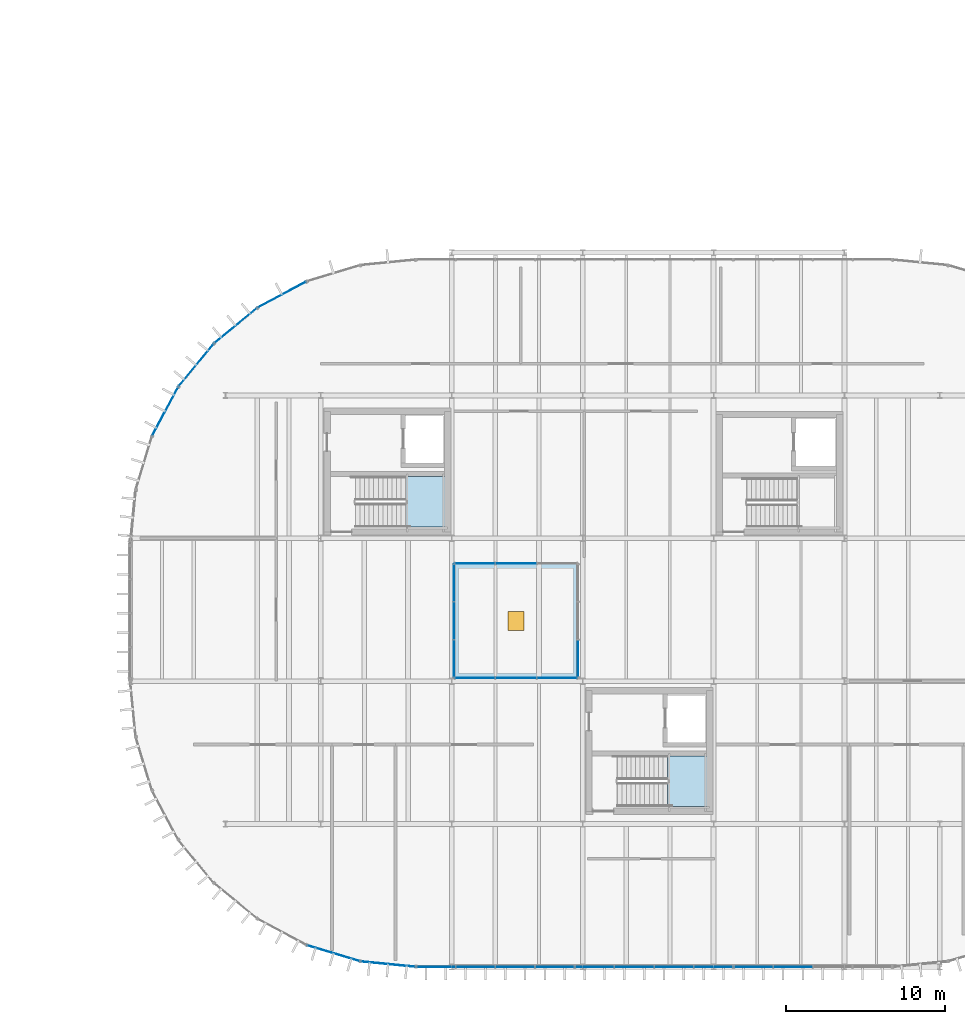
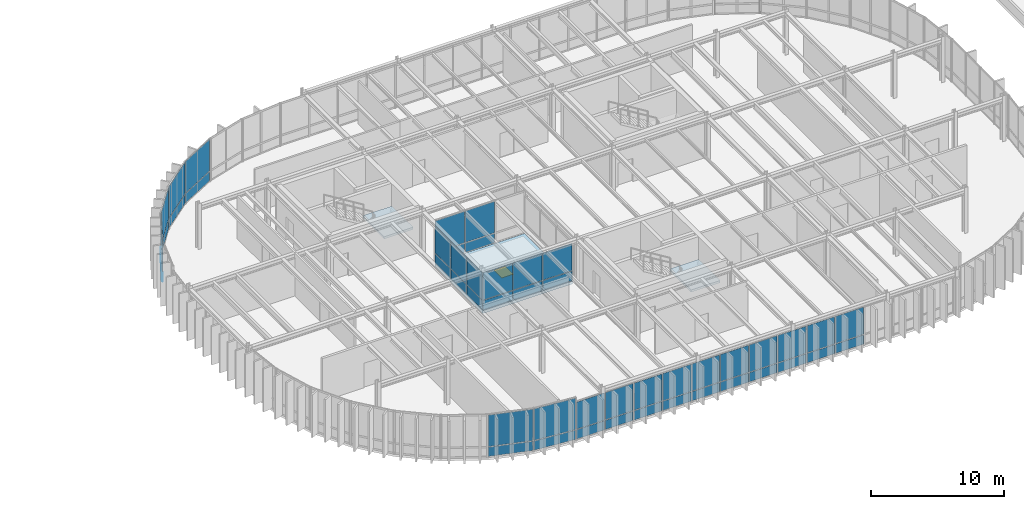
# One storey, part 17 of 31: 49 plates, 3 slabs, 1 door, 1 opening, 16 elements without a shape of their own.
"""IFC4 building model written with IfcOpenShell, lengths in metres."""

from ifc_helpers import new_model, si_unit, direction, frame, origin, origin_2d, place, context, subcontext, project, spatial, polyline, rectangle, outline, extrude, material, layer, layer_set, type_object, element, fill, aggregate, save


model = new_model("IFC4")

# Units and contexts
model_context = context("Model", 3, precision=1e-05, world=origin(), true_north=direction((0.0, 1.0)))
body_context = subcontext(model_context, "Body", "Model", "MODEL_VIEW")
ifc_project = project(units=[si_unit("LENGTHUNIT", "METRE"), si_unit("AREAUNIT", "SQUARE_METRE"), si_unit("VOLUMEUNIT", "CUBIC_METRE"), si_unit("PLANEANGLEUNIT", "RADIAN"), si_unit("MASSUNIT", "GRAM", prefix="KILO")], contexts=[model_context])

# Site, building, storey
site_placement = place(None, origin())
site = spatial("IfcSite", under=ifc_project, at=site_placement, CompositionType="ELEMENT")
building_placement = place(site_placement, origin())
building = spatial("IfcBuilding", under=site, at=building_placement, Name="Montealbar Specialist Clinic", CompositionType="ELEMENT")
storey_placement = place(building_placement, frame((0.0, 0.0, 13.800048828125)))
storey = spatial("IfcBuildingStorey", under=building, at=storey_placement, Name="L03", CompositionType="ELEMENT", Elevation=13.800048828125)

# Curtain wall, plate
ifc_material_1 = material(Name="Low-E double glazing", Category="glass")
ifc_layer_1 = layer(ifc_material_1, 0.199951171875, Name="Low-E double glazing", Category="glass")
ifc_layer_set_1 = layer_set([ifc_layer_1], Name="Low-E double glazing")
curtain_wall_type_1 = type_object("IfcCurtainWallType", Name="CW-TYPE-24", PredefinedType="NOTDEFINED", material=ifc_layer_set_1)
curtain_wall_1_placement = place(storey_placement, origin())
curtain_wall_1 = element("IfcCurtainWall", 1, at=curtain_wall_1_placement, inside=storey, type_object=curtain_wall_type_1, Name="Unitised Curtain Wall CW-L03-822-182-822-254-138", PredefinedType="NOTDEFINED")
ifc_layer_2 = layer(ifc_material_1, 0.028076171875, Name="Low-E double glazing", Category="glass")
ifc_layer_set_2 = layer_set([ifc_layer_2], Name="Low-E double glazing")
plate_type_1 = type_object("IfcPlateType", Name="CW-PNL-IGU28", PredefinedType="CURTAIN_PANEL", material=ifc_layer_set_2)
plate_1_placement = place(storey_placement, frame((82.199951171875, 19.39990234375, 0.06982421875), z_axis=(0.0, 0.0, 1.0), x_axis=(0.0, 1.0, 0.0)))
plate_1 = element("IfcPlate", 2, at=plate_1_placement, type_object=plate_type_1, Name="Glazed Curtain Panel CW-L03-822-182-822-254-138-1-1", PredefinedType="CURTAIN_PANEL", context=body_context, shape_type="SweptSolid", body=[
    extrude(rectangle(XDim=2.327880859375, YDim=0.028076171875, at=origin_2d()), origin(), (0.0, 0.0, 1.0), 0.85009765625),
])
aggregate(curtain_wall_1, [plate_1])

# Curtain wall, plates
ifc_layer_3 = layer(ifc_material_1, 0.199951171875, Name="Low-E double glazing", Category="glass")
ifc_layer_set_3 = layer_set([ifc_layer_3], Name="Low-E double glazing")
curtain_wall_type_2 = type_object("IfcCurtainWallType", Name="CW-TYPE-25", PredefinedType="NOTDEFINED", material=ifc_layer_set_3)
curtain_wall_2_placement = place(storey_placement, origin())
curtain_wall_2 = element("IfcCurtainWall", 3, at=curtain_wall_2_placement, inside=storey, type_object=curtain_wall_type_2, Name="Unitised Curtain Wall CW-L03-822-254-744-254-138", PredefinedType="NOTDEFINED")
plate_2_placement = place(storey_placement, frame((78.300048828125, 25.39990234375, 0.06982421875), z_axis=(0.0, 0.0, 1.0), x_axis=(-1.0, 0.0, 0.0)))
plate_2 = element("IfcPlate", 4, at=plate_2_placement, type_object=plate_type_1, Name="Glazed Curtain Panel CW-L03-822-254-744-254-138-2-1", PredefinedType="CURTAIN_PANEL", context=body_context, shape_type="SweptSolid", body=[
    extrude(rectangle(XDim=2.528076171875, YDim=0.028076171875, at=origin_2d()), origin(), (0.0, 0.0, 1.0), 0.85009765625),
])
plate_3_placement = place(storey_placement, frame((78.300048828125, 25.39990234375, 0.97998046875), z_axis=(0.0, 0.0, 1.0), x_axis=(-1.0, 0.0, 0.0)))
plate_3 = element("IfcPlate", 5, at=plate_3_placement, type_object=plate_type_1, Name="Glazed Curtain Panel CW-L03-822-254-744-254-138-2-2", PredefinedType="CURTAIN_PANEL", context=body_context, shape_type="SweptSolid", body=[
    extrude(rectangle(XDim=2.528076171875, YDim=0.028076171875, at=origin_2d()), origin(), (0.0, 0.0, 1.0), 2.889892578125),
])
plate_4_placement = place(storey_placement, frame((75.699951171875, 25.39990234375, 0.06982421875), z_axis=(0.0, 0.0, 1.0), x_axis=(-1.0, 0.0, 0.0)))
plate_4 = element("IfcPlate", 6, at=plate_4_placement, type_object=plate_type_1, Name="Glazed Curtain Panel CW-L03-822-254-744-254-138-3-1", PredefinedType="CURTAIN_PANEL", context=body_context, shape_type="SweptSolid", body=[
    extrude(rectangle(XDim=2.528076171875, YDim=0.028076171875, at=origin_2d()), origin(), (0.0, 0.0, 1.0), 0.85009765625),
])
plate_5_placement = place(storey_placement, frame((75.699951171875, 25.39990234375, 0.97998046875), z_axis=(0.0, 0.0, 1.0), x_axis=(-1.0, 0.0, 0.0)))
plate_5 = element("IfcPlate", 7, at=plate_5_placement, type_object=plate_type_1, Name="Glazed Curtain Panel CW-L03-822-254-744-254-138-3-2", PredefinedType="CURTAIN_PANEL", context=body_context, shape_type="SweptSolid", body=[
    extrude(rectangle(XDim=2.528076171875, YDim=0.028076171875, at=origin_2d()), origin(), (0.0, 0.0, 1.0), 2.889892578125),
])
aggregate(curtain_wall_2, [plate_2, plate_3, plate_4, plate_5])

curtain_wall_3_placement = place(storey_placement, origin())
curtain_wall_3 = element("IfcCurtainWall", 8, at=curtain_wall_3_placement, inside=storey, type_object=curtain_wall_type_1, Name="Unitised Curtain Wall CW-L03-744-254-744-182-138", PredefinedType="NOTDEFINED")
plate_6_placement = place(storey_placement, frame((74.39990234375, 24.199951171875, 0.06982421875), z_axis=(0.0, 0.0, 1.0), x_axis=(0.0, -1.0, 0.0)))
plate_6 = element("IfcPlate", 9, at=plate_6_placement, type_object=plate_type_1, Name="Glazed Curtain Panel CW-L03-744-254-744-182-138-1-1", PredefinedType="CURTAIN_PANEL", context=body_context, shape_type="SweptSolid", body=[
    extrude(rectangle(XDim=2.327880859375, YDim=0.028076171875, at=origin_2d()), origin(), (0.0, 0.0, 1.0), 0.85009765625),
])
plate_7_placement = place(storey_placement, frame((74.39990234375, 24.199951171875, 0.97998046875), z_axis=(0.0, 0.0, 1.0), x_axis=(0.0, -1.0, 0.0)))
plate_7 = element("IfcPlate", 10, at=plate_7_placement, type_object=plate_type_1, Name="Glazed Curtain Panel CW-L03-744-254-744-182-138-1-2", PredefinedType="CURTAIN_PANEL", context=body_context, shape_type="SweptSolid", body=[
    extrude(rectangle(XDim=2.327880859375, YDim=0.028076171875, at=origin_2d()), origin(), (0.0, 0.0, 1.0), 2.489990234375),
])
plate_8_placement = place(storey_placement, frame((74.39990234375, 21.800048828125, 0.06982421875), z_axis=(0.0, 0.0, 1.0), x_axis=(0.0, -1.0, 0.0)))
plate_8 = element("IfcPlate", 11, at=plate_8_placement, type_object=plate_type_1, Name="Glazed Curtain Panel CW-L03-744-254-744-182-138-2-1", PredefinedType="CURTAIN_PANEL", context=body_context, shape_type="SweptSolid", body=[
    extrude(rectangle(XDim=2.327880859375, YDim=0.028076171875, at=origin_2d()), origin(), (0.0, 0.0, 1.0), 0.85009765625),
])
plate_9_placement = place(storey_placement, frame((74.39990234375, 21.800048828125, 0.97998046875), z_axis=(0.0, 0.0, 1.0), x_axis=(0.0, -1.0, 0.0)))
plate_9 = element("IfcPlate", 12, at=plate_9_placement, type_object=plate_type_1, Name="Glazed Curtain Panel CW-L03-744-254-744-182-138-2-2", PredefinedType="CURTAIN_PANEL", context=body_context, shape_type="SweptSolid", body=[
    extrude(rectangle(XDim=2.327880859375, YDim=0.028076171875, at=origin_2d()), origin(), (0.0, 0.0, 1.0), 2.489990234375),
])
plate_10_placement = place(storey_placement, frame((74.39990234375, 19.39990234375, 0.06982421875), z_axis=(0.0, 0.0, 1.0), x_axis=(0.0, -1.0, 0.0)))
plate_10 = element("IfcPlate", 13, at=plate_10_placement, type_object=plate_type_1, Name="Glazed Curtain Panel CW-L03-744-254-744-182-138-3-1", PredefinedType="CURTAIN_PANEL", context=body_context, shape_type="SweptSolid", body=[
    extrude(rectangle(XDim=2.327880859375, YDim=0.028076171875, at=origin_2d()), origin(), (0.0, 0.0, 1.0), 0.85009765625),
])
plate_11_placement = place(storey_placement, frame((74.39990234375, 19.39990234375, 0.97998046875), z_axis=(0.0, 0.0, 1.0), x_axis=(0.0, -1.0, 0.0)))
plate_11 = element("IfcPlate", 14, at=plate_11_placement, type_object=plate_type_1, Name="Glazed Curtain Panel CW-L03-744-254-744-182-138-3-2", PredefinedType="CURTAIN_PANEL", context=body_context, shape_type="SweptSolid", body=[
    extrude(rectangle(XDim=2.327880859375, YDim=0.028076171875, at=origin_2d()), origin(), (0.0, 0.0, 1.0), 2.489990234375),
])
aggregate(curtain_wall_3, [plate_6, plate_7, plate_8, plate_9, plate_10, plate_11])

ifc_layer_4 = layer(ifc_material_1, 0.199951171875, Name="Low-E double glazing", Category="glass")
ifc_layer_set_4 = layer_set([ifc_layer_4], Name="Low-E double glazing")
curtain_wall_type_3 = type_object("IfcCurtainWallType", Name="CW-TYPE-26", PredefinedType="NOTDEFINED", material=ifc_layer_set_4)
curtain_wall_4_placement = place(storey_placement, origin())
curtain_wall_4 = element("IfcCurtainWall", 15, at=curtain_wall_4_placement, inside=storey, type_object=curtain_wall_type_3, Name="Unitised Curtain Wall CW-L03-744-182-822-182-138", PredefinedType="NOTDEFINED")
plate_12_placement = place(storey_placement, frame((75.699951171875, 18.199951171875, 0.06982421875), z_axis=(0.0, 0.0, 1.0), x_axis=(1.0, 0.0, 0.0)))
plate_12 = element("IfcPlate", 16, at=plate_12_placement, type_object=plate_type_1, Name="Glazed Curtain Panel CW-L03-744-182-822-182-138-1-1", PredefinedType="CURTAIN_PANEL", context=body_context, shape_type="SweptSolid", body=[
    extrude(rectangle(XDim=2.528076171875, YDim=0.028076171875, at=origin_2d()), origin(), (0.0, 0.0, 1.0), 0.85009765625),
])
plate_13_placement = place(storey_placement, frame((75.699951171875, 18.199951171875, 0.97998046875), z_axis=(0.0, 0.0, 1.0), x_axis=(1.0, 0.0, 0.0)))
plate_13 = element("IfcPlate", 17, at=plate_13_placement, type_object=plate_type_1, Name="Glazed Curtain Panel CW-L03-744-182-822-182-138-1-2", PredefinedType="CURTAIN_PANEL", context=body_context, shape_type="SweptSolid", body=[
    extrude(rectangle(XDim=2.528076171875, YDim=0.028076171875, at=origin_2d()), origin(), (0.0, 0.0, 1.0), 2.489990234375),
])
plate_14_placement = place(storey_placement, frame((78.300048828125, 18.199951171875, 0.06982421875), z_axis=(0.0, 0.0, 1.0), x_axis=(1.0, 0.0, 0.0)))
plate_14 = element("IfcPlate", 18, at=plate_14_placement, type_object=plate_type_1, Name="Glazed Curtain Panel CW-L03-744-182-822-182-138-2-1", PredefinedType="CURTAIN_PANEL", context=body_context, shape_type="SweptSolid", body=[
    extrude(rectangle(XDim=2.528076171875, YDim=0.028076171875, at=origin_2d()), origin(), (0.0, 0.0, 1.0), 0.85009765625),
])
plate_15_placement = place(storey_placement, frame((78.300048828125, 18.199951171875, 0.97998046875), z_axis=(0.0, 0.0, 1.0), x_axis=(1.0, 0.0, 0.0)))
plate_15 = element("IfcPlate", 19, at=plate_15_placement, type_object=plate_type_1, Name="Glazed Curtain Panel CW-L03-744-182-822-182-138-2-2", PredefinedType="CURTAIN_PANEL", context=body_context, shape_type="SweptSolid", body=[
    extrude(rectangle(XDim=2.528076171875, YDim=0.028076171875, at=origin_2d()), origin(), (0.0, 0.0, 1.0), 2.489990234375),
])
plate_16_placement = place(storey_placement, frame((80.89990234375, 18.199951171875, 0.06982421875), z_axis=(0.0, 0.0, 1.0), x_axis=(1.0, 0.0, 0.0)))
plate_16 = element("IfcPlate", 20, at=plate_16_placement, type_object=plate_type_1, Name="Glazed Curtain Panel CW-L03-744-182-822-182-138-3-1", PredefinedType="CURTAIN_PANEL", context=body_context, shape_type="SweptSolid", body=[
    extrude(rectangle(XDim=2.528076171875, YDim=0.028076171875, at=origin_2d()), origin(), (0.0, 0.0, 1.0), 0.85009765625),
])
plate_17_placement = place(storey_placement, frame((80.89990234375, 18.199951171875, 0.97998046875), z_axis=(0.0, 0.0, 1.0), x_axis=(1.0, 0.0, 0.0)))
plate_17 = element("IfcPlate", 21, at=plate_17_placement, type_object=plate_type_1, Name="Glazed Curtain Panel CW-L03-744-182-822-182-138-3-2", PredefinedType="CURTAIN_PANEL", context=body_context, shape_type="SweptSolid", body=[
    extrude(rectangle(XDim=2.528076171875, YDim=0.028076171875, at=origin_2d()), origin(), (0.0, 0.0, 1.0), 2.489990234375),
])
aggregate(curtain_wall_4, [plate_12, plate_13, plate_14, plate_15, plate_16, plate_17])

ifc_layer_5 = layer(ifc_material_1, 0.199951171875, Name="Low-E double glazing", Category="glass")
ifc_layer_set_5 = layer_set([ifc_layer_5], Name="Low-E double glazing")
curtain_wall_type_4 = type_object("IfcCurtainWallType", Name="CW-TYPE-19", PredefinedType="NOTDEFINED", material=ifc_layer_set_5)
curtain_wall_5_placement = place(storey_placement, origin())
curtain_wall_5 = element("IfcCurtainWall", 22, at=curtain_wall_5_placement, inside=storey, type_object=curtain_wall_type_4, Name="Unitised Curtain Wall CW-L03-554-334-570-366-138", PredefinedType="NOTDEFINED")
ifc_layer_6 = layer(ifc_material_1, 0.0380859375, Name="Low-E double glazing", Category="glass")
ifc_layer_set_6 = layer_set([ifc_layer_6], Name="Low-E double glazing")
plate_type_2 = type_object("IfcPlateType", Name="CW-PNL-IGU38", PredefinedType="CURTAIN_PANEL", material=ifc_layer_set_6)
plate_18_placement = place(storey_placement, frame((56.201904296875, 34.993896484375, 0.06982421875), z_axis=(0.0, 0.0, 1.0), x_axis=(0.471529268958, 0.881850411644, 0.0)))
plate_18 = element("IfcPlate", 23, at=plate_18_placement, type_object=plate_type_2, Name="Glazed Curtain Panel CW-L03-554-334-570-366-138-1-1", PredefinedType="CURTAIN_PANEL", context=body_context, shape_type="SweptSolid", body=[
    extrude(rectangle(XDim=3.445068359375, YDim=0.0380859375, at=origin_2d()), origin(), (0.0, 0.0, 1.0), 0.85009765625),
])
plate_19_placement = place(storey_placement, frame((56.201904296875, 34.993896484375, 0.97998046875), z_axis=(0.0, 0.0, 1.0), x_axis=(0.471529268958, 0.881850411644, 0.0)))
plate_19 = element("IfcPlate", 24, at=plate_19_placement, type_object=plate_type_2, Name="Glazed Curtain Panel CW-L03-554-334-570-366-138-1-2", PredefinedType="CURTAIN_PANEL", context=body_context, shape_type="SweptSolid", body=[
    extrude(rectangle(XDim=3.445068359375, YDim=0.0380859375, at=origin_2d()), origin(), (0.0, 0.0, 1.0), 2.889892578125),
])
aggregate(curtain_wall_5, [plate_18, plate_19])

curtain_wall_6_placement = place(storey_placement, origin())
curtain_wall_6 = element("IfcCurtainWall", 25, at=curtain_wall_6_placement, inside=storey, type_object=curtain_wall_type_4, Name="Unitised Curtain Wall CW-L03-570-366-593-393-138", PredefinedType="NOTDEFINED")
plate_20_placement = place(storey_placement, frame((58.153076171875, 37.9140625, 0.06982421875), z_axis=(0.0, 0.0, 1.0), x_axis=(0.634255808922, 0.773123255923, 0.0)))
plate_20 = element("IfcPlate", 26, at=plate_20_placement, type_object=plate_type_2, Name="Glazed Curtain Panel CW-L03-570-366-593-393-138-1-1", PredefinedType="CURTAIN_PANEL", context=body_context, shape_type="SweptSolid", body=[
    extrude(rectangle(XDim=3.445068359375, YDim=0.0380859375, at=origin_2d()), origin(), (0.0, 0.0, 1.0), 0.85009765625),
])
plate_21_placement = place(storey_placement, frame((58.153076171875, 37.9140625, 0.97998046875), z_axis=(0.0, 0.0, 1.0), x_axis=(0.634255808922, 0.773123255923, 0.0)))
plate_21 = element("IfcPlate", 27, at=plate_21_placement, type_object=plate_type_2, Name="Glazed Curtain Panel CW-L03-570-366-593-393-138-1-2", PredefinedType="CURTAIN_PANEL", context=body_context, shape_type="SweptSolid", body=[
    extrude(rectangle(XDim=3.445068359375, YDim=0.0380859375, at=origin_2d()), origin(), (0.0, 0.0, 1.0), 2.889892578125),
])
aggregate(curtain_wall_6, [plate_20, plate_21])

curtain_wall_7_placement = place(storey_placement, origin())
curtain_wall_7 = element("IfcCurtainWall", 28, at=curtain_wall_7_placement, inside=storey, type_object=curtain_wall_type_4, Name="Unitised Curtain Wall CW-L03-593-393-620-415-138", PredefinedType="NOTDEFINED")
plate_22_placement = place(storey_placement, frame((60.635986328125, 40.39697265625, 0.06982421875), z_axis=(0.0, 0.0, 1.0), x_axis=(0.773123255923, 0.634255808922, 0.0)))
plate_22 = element("IfcPlate", 29, at=plate_22_placement, type_object=plate_type_2, Name="Glazed Curtain Panel CW-L03-593-393-620-415-138-1-1", PredefinedType="CURTAIN_PANEL", context=body_context, shape_type="SweptSolid", body=[
    extrude(rectangle(XDim=3.445068359375, YDim=0.0380859375, at=origin_2d()), origin(), (0.0, 0.0, 1.0), 0.85009765625),
])
plate_23_placement = place(storey_placement, frame((60.635986328125, 40.39697265625, 0.97998046875), z_axis=(0.0, 0.0, 1.0), x_axis=(0.773123255923, 0.634255808922, 0.0)))
plate_23 = element("IfcPlate", 30, at=plate_23_placement, type_object=plate_type_2, Name="Glazed Curtain Panel CW-L03-593-393-620-415-138-1-2", PredefinedType="CURTAIN_PANEL", context=body_context, shape_type="SweptSolid", body=[
    extrude(rectangle(XDim=3.445068359375, YDim=0.0380859375, at=origin_2d()), origin(), (0.0, 0.0, 1.0), 2.889892578125),
])
aggregate(curtain_wall_7, [plate_22, plate_23])

curtain_wall_8_placement = place(storey_placement, origin())
curtain_wall_8 = element("IfcCurtainWall", 31, at=curtain_wall_8_placement, inside=storey, type_object=curtain_wall_type_4, Name="Unitised Curtain Wall CW-L03-620-415-651-432-138", PredefinedType="NOTDEFINED")
plate_24_placement = place(storey_placement, frame((63.555908203125, 42.347900390625, 0.06982421875), z_axis=(0.0, 0.0, 1.0), x_axis=(0.881850411644, 0.471529268958, 0.0)))
plate_24 = element("IfcPlate", 32, at=plate_24_placement, type_object=plate_type_2, Name="Glazed Curtain Panel CW-L03-620-415-651-432-138-1-1", PredefinedType="CURTAIN_PANEL", context=body_context, shape_type="SweptSolid", body=[
    extrude(rectangle(XDim=3.445068359375, YDim=0.0380859375, at=origin_2d()), origin(), (0.0, 0.0, 1.0), 0.85009765625),
])
plate_25_placement = place(storey_placement, frame((63.555908203125, 42.347900390625, 0.97998046875), z_axis=(0.0, 0.0, 1.0), x_axis=(0.881850411644, 0.471529268958, 0.0)))
plate_25 = element("IfcPlate", 33, at=plate_25_placement, type_object=plate_type_2, Name="Glazed Curtain Panel CW-L03-620-415-651-432-138-1-2", PredefinedType="CURTAIN_PANEL", context=body_context, shape_type="SweptSolid", body=[
    extrude(rectangle(XDim=3.445068359375, YDim=0.0380859375, at=origin_2d()), origin(), (0.0, 0.0, 1.0), 2.889892578125),
])
aggregate(curtain_wall_8, [plate_24, plate_25])

ifc_layer_7 = layer(ifc_material_1, 0.199951171875, Name="Low-E double glazing", Category="glass")
ifc_layer_set_7 = layer_set([ifc_layer_7], Name="Low-E double glazing")
curtain_wall_type_5 = type_object("IfcCurtainWallType", Name="CW-TYPE-22", PredefinedType="NOTDEFINED", material=ifc_layer_set_7)
curtain_wall_9_placement = place(storey_placement, origin())
curtain_wall_9 = element("IfcCurtainWall", 34, at=curtain_wall_9_placement, inside=storey, type_object=curtain_wall_type_5, Name="Unitised Curtain Wall CW-L03-1020-0-920-0-138", PredefinedType="NOTDEFINED")
plate_26_placement = place(storey_placement, frame((95.75, 0.0, 0.06982421875), z_axis=(0.0, 0.0, 1.0), x_axis=(-1.0, 0.0, 0.0)))
plate_26 = element("IfcPlate", 35, at=plate_26_placement, type_object=plate_type_2, Name="Glazed Curtain Panel CW-L03-1020-0-920-0-138-3-1", PredefinedType="CURTAIN_PANEL", context=body_context, shape_type="SweptSolid", body=[
    extrude(rectangle(XDim=2.416015625, YDim=0.0380859375, at=origin_2d()), origin(), (0.0, 0.0, 1.0), 0.85009765625),
])
plate_27_placement = place(storey_placement, frame((95.75, 0.0, 0.97998046875), z_axis=(0.0, 0.0, 1.0), x_axis=(-1.0, 0.0, 0.0)))
plate_27 = element("IfcPlate", 36, at=plate_27_placement, type_object=plate_type_2, Name="Glazed Curtain Panel CW-L03-1020-0-920-0-138-3-2", PredefinedType="CURTAIN_PANEL", context=body_context, shape_type="SweptSolid", body=[
    extrude(rectangle(XDim=2.416015625, YDim=0.0380859375, at=origin_2d()), origin(), (0.0, 0.0, 1.0), 2.489990234375),
])
plate_28_placement = place(storey_placement, frame((93.25, 0.0, 0.06982421875), z_axis=(0.0, 0.0, 1.0), x_axis=(-1.0, 0.0, 0.0)))
plate_28 = element("IfcPlate", 37, at=plate_28_placement, type_object=plate_type_2, Name="Glazed Curtain Panel CW-L03-1020-0-920-0-138-4-1", PredefinedType="CURTAIN_PANEL", context=body_context, shape_type="SweptSolid", body=[
    extrude(rectangle(XDim=2.416015625, YDim=0.0380859375, at=origin_2d()), origin(), (0.0, 0.0, 1.0), 0.85009765625),
])
plate_29_placement = place(storey_placement, frame((93.25, 0.0, 0.97998046875), z_axis=(0.0, 0.0, 1.0), x_axis=(-1.0, 0.0, 0.0)))
plate_29 = element("IfcPlate", 38, at=plate_29_placement, type_object=plate_type_2, Name="Glazed Curtain Panel CW-L03-1020-0-920-0-138-4-2", PredefinedType="CURTAIN_PANEL", context=body_context, shape_type="SweptSolid", body=[
    extrude(rectangle(XDim=2.416015625, YDim=0.0380859375, at=origin_2d()), origin(), (0.0, 0.0, 1.0), 2.489990234375),
])
aggregate(curtain_wall_9, [plate_26, plate_27, plate_28, plate_29])

curtain_wall_10_placement = place(storey_placement, origin())
curtain_wall_10 = element("IfcCurtainWall", 39, at=curtain_wall_10_placement, inside=storey, type_object=curtain_wall_type_5, Name="Unitised Curtain Wall CW-L03-920-0-820-0-138", PredefinedType="NOTDEFINED")
plate_30_placement = place(storey_placement, frame((90.75, 0.0, 0.06982421875), z_axis=(0.0, 0.0, 1.0), x_axis=(-1.0, 0.0, 0.0)))
plate_30 = element("IfcPlate", 40, at=plate_30_placement, type_object=plate_type_2, Name="Glazed Curtain Panel CW-L03-920-0-820-0-138-1-1", PredefinedType="CURTAIN_PANEL", context=body_context, shape_type="SweptSolid", body=[
    extrude(rectangle(XDim=2.416015625, YDim=0.0380859375, at=origin_2d()), origin(), (0.0, 0.0, 1.0), 0.85009765625),
])
plate_31_placement = place(storey_placement, frame((90.75, 0.0, 0.97998046875), z_axis=(0.0, 0.0, 1.0), x_axis=(-1.0, 0.0, 0.0)))
plate_31 = element("IfcPlate", 41, at=plate_31_placement, type_object=plate_type_2, Name="Glazed Curtain Panel CW-L03-920-0-820-0-138-1-2", PredefinedType="CURTAIN_PANEL", context=body_context, shape_type="SweptSolid", body=[
    extrude(rectangle(XDim=2.416015625, YDim=0.0380859375, at=origin_2d()), origin(), (0.0, 0.0, 1.0), 2.489990234375),
])
plate_32_placement = place(storey_placement, frame((88.25, 0.0, 0.06982421875), z_axis=(0.0, 0.0, 1.0), x_axis=(-1.0, 0.0, 0.0)))
plate_32 = element("IfcPlate", 42, at=plate_32_placement, type_object=plate_type_2, Name="Glazed Curtain Panel CW-L03-920-0-820-0-138-2-1", PredefinedType="CURTAIN_PANEL", context=body_context, shape_type="SweptSolid", body=[
    extrude(rectangle(XDim=2.416015625, YDim=0.0380859375, at=origin_2d()), origin(), (0.0, 0.0, 1.0), 0.85009765625),
])
plate_33_placement = place(storey_placement, frame((88.25, 0.0, 0.97998046875), z_axis=(0.0, 0.0, 1.0), x_axis=(-1.0, 0.0, 0.0)))
plate_33 = element("IfcPlate", 43, at=plate_33_placement, type_object=plate_type_2, Name="Glazed Curtain Panel CW-L03-920-0-820-0-138-2-2", PredefinedType="CURTAIN_PANEL", context=body_context, shape_type="SweptSolid", body=[
    extrude(rectangle(XDim=2.416015625, YDim=0.0380859375, at=origin_2d()), origin(), (0.0, 0.0, 1.0), 2.489990234375),
])
plate_34_placement = place(storey_placement, frame((85.75, 0.0, 0.06982421875), z_axis=(0.0, 0.0, 1.0), x_axis=(-1.0, 0.0, 0.0)))
plate_34 = element("IfcPlate", 44, at=plate_34_placement, type_object=plate_type_2, Name="Glazed Curtain Panel CW-L03-920-0-820-0-138-3-1", PredefinedType="CURTAIN_PANEL", context=body_context, shape_type="SweptSolid", body=[
    extrude(rectangle(XDim=2.416015625, YDim=0.0380859375, at=origin_2d()), origin(), (0.0, 0.0, 1.0), 0.85009765625),
])
plate_35_placement = place(storey_placement, frame((85.75, 0.0, 0.97998046875), z_axis=(0.0, 0.0, 1.0), x_axis=(-1.0, 0.0, 0.0)))
plate_35 = element("IfcPlate", 45, at=plate_35_placement, type_object=plate_type_2, Name="Glazed Curtain Panel CW-L03-920-0-820-0-138-3-2", PredefinedType="CURTAIN_PANEL", context=body_context, shape_type="SweptSolid", body=[
    extrude(rectangle(XDim=2.416015625, YDim=0.0380859375, at=origin_2d()), origin(), (0.0, 0.0, 1.0), 2.489990234375),
])
plate_36_placement = place(storey_placement, frame((83.25, 0.0, 0.06982421875), z_axis=(0.0, 0.0, 1.0), x_axis=(-1.0, 0.0, 0.0)))
plate_36 = element("IfcPlate", 46, at=plate_36_placement, type_object=plate_type_2, Name="Glazed Curtain Panel CW-L03-920-0-820-0-138-4-1", PredefinedType="CURTAIN_PANEL", context=body_context, shape_type="SweptSolid", body=[
    extrude(rectangle(XDim=2.416015625, YDim=0.0380859375, at=origin_2d()), origin(), (0.0, 0.0, 1.0), 0.85009765625),
])
plate_37_placement = place(storey_placement, frame((83.25, 0.0, 0.97998046875), z_axis=(0.0, 0.0, 1.0), x_axis=(-1.0, 0.0, 0.0)))
plate_37 = element("IfcPlate", 47, at=plate_37_placement, type_object=plate_type_2, Name="Glazed Curtain Panel CW-L03-920-0-820-0-138-4-2", PredefinedType="CURTAIN_PANEL", context=body_context, shape_type="SweptSolid", body=[
    extrude(rectangle(XDim=2.416015625, YDim=0.0380859375, at=origin_2d()), origin(), (0.0, 0.0, 1.0), 2.489990234375),
])
aggregate(curtain_wall_10, [plate_30, plate_31, plate_32, plate_33, plate_34, plate_35, plate_36, plate_37])

curtain_wall_11_placement = place(storey_placement, origin())
curtain_wall_11 = element("IfcCurtainWall", 48, at=curtain_wall_11_placement, inside=storey, type_object=curtain_wall_type_5, Name="Unitised Curtain Wall CW-L03-820-0-720-0-138", PredefinedType="NOTDEFINED")
plate_38_placement = place(storey_placement, frame((80.75, 0.0, 0.06982421875), z_axis=(0.0, 0.0, 1.0), x_axis=(-1.0, 0.0, 0.0)))
plate_38 = element("IfcPlate", 49, at=plate_38_placement, type_object=plate_type_2, Name="Glazed Curtain Panel CW-L03-820-0-720-0-138-1-1", PredefinedType="CURTAIN_PANEL", context=body_context, shape_type="SweptSolid", body=[
    extrude(rectangle(XDim=2.416015625, YDim=0.0380859375, at=origin_2d()), origin(), (0.0, 0.0, 1.0), 0.85009765625),
])
plate_39_placement = place(storey_placement, frame((80.75, 0.0, 0.97998046875), z_axis=(0.0, 0.0, 1.0), x_axis=(-1.0, 0.0, 0.0)))
plate_39 = element("IfcPlate", 50, at=plate_39_placement, type_object=plate_type_2, Name="Glazed Curtain Panel CW-L03-820-0-720-0-138-1-2", PredefinedType="CURTAIN_PANEL", context=body_context, shape_type="SweptSolid", body=[
    extrude(rectangle(XDim=2.416015625, YDim=0.0380859375, at=origin_2d()), origin(), (0.0, 0.0, 1.0), 2.489990234375),
])
plate_40_placement = place(storey_placement, frame((78.25, 0.0, 0.06982421875), z_axis=(0.0, 0.0, 1.0), x_axis=(-1.0, 0.0, 0.0)))
plate_40 = element("IfcPlate", 51, at=plate_40_placement, type_object=plate_type_2, Name="Glazed Curtain Panel CW-L03-820-0-720-0-138-2-1", PredefinedType="CURTAIN_PANEL", context=body_context, shape_type="SweptSolid", body=[
    extrude(rectangle(XDim=2.416015625, YDim=0.0380859375, at=origin_2d()), origin(), (0.0, 0.0, 1.0), 0.85009765625),
])
plate_41_placement = place(storey_placement, frame((78.25, 0.0, 0.97998046875), z_axis=(0.0, 0.0, 1.0), x_axis=(-1.0, 0.0, 0.0)))
plate_41 = element("IfcPlate", 52, at=plate_41_placement, type_object=plate_type_2, Name="Glazed Curtain Panel CW-L03-820-0-720-0-138-2-2", PredefinedType="CURTAIN_PANEL", context=body_context, shape_type="SweptSolid", body=[
    extrude(rectangle(XDim=2.416015625, YDim=0.0380859375, at=origin_2d()), origin(), (0.0, 0.0, 1.0), 2.489990234375),
])
plate_42_placement = place(storey_placement, frame((75.75, 0.0, 0.06982421875), z_axis=(0.0, 0.0, 1.0), x_axis=(-1.0, 0.0, 0.0)))
plate_42 = element("IfcPlate", 53, at=plate_42_placement, type_object=plate_type_2, Name="Glazed Curtain Panel CW-L03-820-0-720-0-138-3-1", PredefinedType="CURTAIN_PANEL", context=body_context, shape_type="SweptSolid", body=[
    extrude(rectangle(XDim=2.416015625, YDim=0.0380859375, at=origin_2d()), origin(), (0.0, 0.0, 1.0), 0.85009765625),
])
plate_43_placement = place(storey_placement, frame((75.75, 0.0, 0.97998046875), z_axis=(0.0, 0.0, 1.0), x_axis=(-1.0, 0.0, 0.0)))
plate_43 = element("IfcPlate", 54, at=plate_43_placement, type_object=plate_type_2, Name="Glazed Curtain Panel CW-L03-820-0-720-0-138-3-2", PredefinedType="CURTAIN_PANEL", context=body_context, shape_type="SweptSolid", body=[
    extrude(rectangle(XDim=2.416015625, YDim=0.0380859375, at=origin_2d()), origin(), (0.0, 0.0, 1.0), 2.489990234375),
])
plate_44_placement = place(storey_placement, frame((73.25, 0.0, 0.06982421875), z_axis=(0.0, 0.0, 1.0), x_axis=(-1.0, 0.0, 0.0)))
plate_44 = element("IfcPlate", 55, at=plate_44_placement, type_object=plate_type_2, Name="Glazed Curtain Panel CW-L03-820-0-720-0-138-4-1", PredefinedType="CURTAIN_PANEL", context=body_context, shape_type="SweptSolid", body=[
    extrude(rectangle(XDim=2.416015625, YDim=0.0380859375, at=origin_2d()), origin(), (0.0, 0.0, 1.0), 0.85009765625),
])
plate_45_placement = place(storey_placement, frame((73.25, 0.0, 0.97998046875), z_axis=(0.0, 0.0, 1.0), x_axis=(-1.0, 0.0, 0.0)))
plate_45 = element("IfcPlate", 56, at=plate_45_placement, type_object=plate_type_2, Name="Glazed Curtain Panel CW-L03-820-0-720-0-138-4-2", PredefinedType="CURTAIN_PANEL", context=body_context, shape_type="SweptSolid", body=[
    extrude(rectangle(XDim=2.416015625, YDim=0.0380859375, at=origin_2d()), origin(), (0.0, 0.0, 1.0), 2.489990234375),
])
aggregate(curtain_wall_11, [plate_38, plate_39, plate_40, plate_41, plate_42, plate_43, plate_44, plate_45])

curtain_wall_12_placement = place(storey_placement, origin())
curtain_wall_12 = element("IfcCurtainWall", 57, at=curtain_wall_12_placement, inside=storey, type_object=curtain_wall_type_4, Name="Unitised Curtain Wall CW-L03-720-0-685-3-138", PredefinedType="NOTDEFINED")
plate_46_placement = place(storey_placement, frame((70.243896484375, 0.173095703125, 0.06982421875), z_axis=(0.0, 0.0, 1.0), x_axis=(-0.995182012183, 0.098044697094, 0.0)))
plate_46 = element("IfcPlate", 58, at=plate_46_placement, type_object=plate_type_2, Name="Glazed Curtain Panel CW-L03-720-0-685-3-138-1-1", PredefinedType="CURTAIN_PANEL", context=body_context, shape_type="SweptSolid", body=[
    extrude(rectangle(XDim=3.445068359375, YDim=0.0380859375, at=origin_2d()), origin(), (0.0, 0.0, 1.0), 0.85009765625),
])
plate_47_placement = place(storey_placement, frame((70.243896484375, 0.173095703125, 0.97998046875), z_axis=(0.0, 0.0, 1.0), x_axis=(-0.995182012183, 0.098044697094, 0.0)))
plate_47 = element("IfcPlate", 59, at=plate_47_placement, type_object=plate_type_2, Name="Glazed Curtain Panel CW-L03-720-0-685-3-138-1-2", PredefinedType="CURTAIN_PANEL", context=body_context, shape_type="SweptSolid", body=[
    extrude(rectangle(XDim=3.445068359375, YDim=0.0380859375, at=origin_2d()), origin(), (0.0, 0.0, 1.0), 2.889892578125),
])
aggregate(curtain_wall_12, [plate_46, plate_47])

curtain_wall_13_placement = place(storey_placement, origin())
curtain_wall_13 = element("IfcCurtainWall", 60, at=curtain_wall_13_placement, inside=storey, type_object=curtain_wall_type_4, Name="Unitised Curtain Wall CW-L03-685-3-651-14-138", PredefinedType="NOTDEFINED")
plate_48_placement = place(storey_placement, frame((66.800048828125, 0.85791015625, 0.06982421875), z_axis=(0.0, 0.0, 1.0), x_axis=(-0.956948083701, 0.290259134399, 0.0)))
plate_48 = element("IfcPlate", 61, at=plate_48_placement, type_object=plate_type_2, Name="Glazed Curtain Panel CW-L03-685-3-651-14-138-1-1", PredefinedType="CURTAIN_PANEL", context=body_context, shape_type="SweptSolid", body=[
    extrude(rectangle(XDim=3.444091796875, YDim=0.0380859375, at=origin_2d()), origin(), (0.0, 0.0, 1.0), 0.85009765625),
])
plate_49_placement = place(storey_placement, frame((66.800048828125, 0.85791015625, 0.97998046875), z_axis=(0.0, 0.0, 1.0), x_axis=(-0.956948083701, 0.290259134399, 0.0)))
plate_49 = element("IfcPlate", 62, at=plate_49_placement, type_object=plate_type_2, Name="Glazed Curtain Panel CW-L03-685-3-651-14-138-1-2", PredefinedType="CURTAIN_PANEL", context=body_context, shape_type="SweptSolid", body=[
    extrude(rectangle(XDim=3.444091796875, YDim=0.0380859375, at=origin_2d()), origin(), (0.0, 0.0, 1.0), 2.889892578125),
])
aggregate(curtain_wall_13, [plate_48, plate_49])

# Roof, slab, opening, door
ifc_material_2 = material(Name="Weatherproof roofing membrane", Category="concrete")
roof_type = type_object("IfcRoofType", Name="ROOF-CONT-FLAT", PredefinedType="FLAT_ROOF", material=ifc_material_2)
roof_placement = place(storey_placement, origin())
roof = element("IfcRoof", 63, at=roof_placement, inside=storey, type_object=roof_type, Name="Flat Roof Assembly ROOF-L03-03", PredefinedType="FLAT_ROOF")
ifc_material_3 = material(Name="Concrete C35/45", Category="concrete")
ifc_layer_8 = layer(ifc_material_3, 0.27001953125, Name="Concrete C35/45", Category="concrete")
ifc_layer_set_8 = layer_set([ifc_layer_8], Name="Concrete C35/45")
slab_type_1 = type_object("IfcSlabType", Name="SL-ROOF-220", PredefinedType="ROOF", material=ifc_layer_set_8)
slab_1_placement = place(storey_placement, frame((0.0, 0.0, -0.27001953125)))
slab_1 = element("IfcSlab", 64, at=slab_1_placement, type_object=slab_type_1, Name="Roof Slab ROOF-L03-03", PredefinedType="ROOF", context=body_context, shape_type="SweptSolid", body=[
    extrude(outline(polyline([(82.199951171875, 25.39990234375), (82.199951171875, 18.199951171875), (74.39990234375, 18.199951171875), (74.39990234375, 25.39990234375), (82.199951171875, 25.39990234375)]), holes=[polyline([(78.7900390625, 22.389892578125), (77.81005859375, 22.389892578125), (77.81005859375, 21.2099609375), (78.7900390625, 21.2099609375), (78.7900390625, 22.389892578125)])]), origin(), (0.0, 0.0, 1.0), 0.27001953125),
])
opening_placement = place(slab_1_placement, frame((78.300048828125, 21.800048828125, -0.010009765625)))
opening = element("IfcOpeningElement", 65, at=opening_placement, cuts=slab_1, Name="Opening HT-01", PredefinedType="OPENING", context=body_context, shape_type="SweptSolid", body=[
    extrude(rectangle(XDim=1.0, YDim=1.199951171875, at=origin_2d()), origin(), (0.0, 0.0, 1.0), 0.2900390625),
])
ifc_material_4 = material(Name="Powder-coated aluminium", Category="aluminium")
door_type = type_object("IfcDoorType", Name="DR-HATCH-RF01", OperationType="SINGLE_SWING_LEFT", PredefinedType="TRAPDOOR", material=ifc_material_4)
door_placement = place(slab_1_placement, frame((78.300048828125, 21.800048828125, 0.219970703125)))
door = element("IfcDoor", 66, at=door_placement, inside=storey, type_object=door_type, Name="Roof Maintenance Access Hatch HT-11", OperationType="SINGLE_SWING_LEFT", OverallHeight=1.199951171875, OverallWidth=1.0, PredefinedType="TRAPDOOR", context=body_context, shape_type="SweptSolid", body=[
    extrude(rectangle(XDim=1.0, YDim=1.199951171875, at=origin_2d()), origin(), (0.0, 0.0, 1.0), 0.050048828125),
])
fill(opening, door)
aggregate(roof, [slab_1])

# Stair, slab
stair_type = type_object("IfcStairType", Name="STAIR-HT-07", PredefinedType="HALF_TURN_STAIR", material=ifc_material_3)
stair_1_placement = place(storey_placement, origin())
stair_1 = element("IfcStair", 67, at=stair_1_placement, inside=storey, type_object=stair_type, Name="L03 Protected Exit Stair Core C3", PredefinedType="HALF_TURN_STAIR")
ifc_layer_9 = layer(ifc_material_3, 0.199951171875, Name="Concrete C35/45", Category="concrete")
ifc_layer_set_9 = layer_set([ifc_layer_9], Name="Concrete C35/45")
slab_type_2 = type_object("IfcSlabType", Name="SL-STAIR-LAND-200", PredefinedType="LANDING", material=ifc_layer_set_9)
slab_2_placement = place(storey_placement, frame((0.0, 0.0, 1.89990234375)))
slab_2 = element("IfcSlab", 68, at=slab_2_placement, type_object=slab_type_2, Name="ST-03 landing 1", PredefinedType="LANDING", context=body_context, shape_type="SweptSolid", body=[
    extrude(outline(polyline([(71.3349609375, 27.699951171875), (73.85009765625, 27.699951171875), (73.85009765625, 30.89990234375), (71.3349609375, 30.89990234375), (71.3349609375, 27.699951171875)])), origin(), (0.0, 0.0, 1.0), 0.199951171875),
])
aggregate(stair_1, [slab_2])

stair_2_placement = place(storey_placement, origin())
stair_2 = element("IfcStair", 69, at=stair_2_placement, inside=storey, type_object=stair_type, Name="L03 Protected Exit Stair Core C4", PredefinedType="HALF_TURN_STAIR")
slab_3_placement = place(storey_placement, frame((0.0, 0.0, 1.89990234375)))
slab_3 = element("IfcSlab", 70, at=slab_3_placement, type_object=slab_type_2, Name="ST-04 landing 1", PredefinedType="LANDING", context=body_context, shape_type="SweptSolid", body=[
    extrude(outline(polyline([(87.8349609375, 10.10009765625), (90.35009765625, 10.10009765625), (90.35009765625, 13.300048828125), (87.8349609375, 13.300048828125), (87.8349609375, 10.10009765625)])), origin(), (0.0, 0.0, 1.0), 0.199951171875),
])
aggregate(stair_2, [slab_3])

save(model, "model.ifc")
